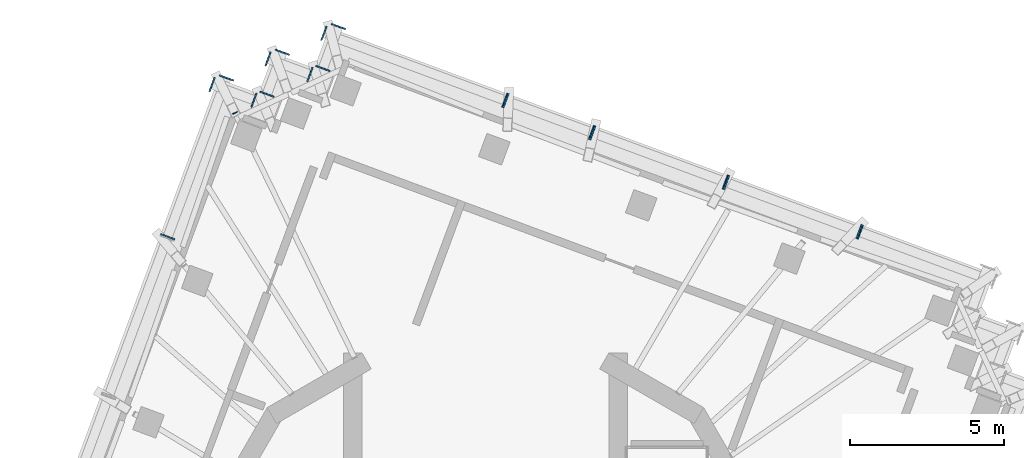
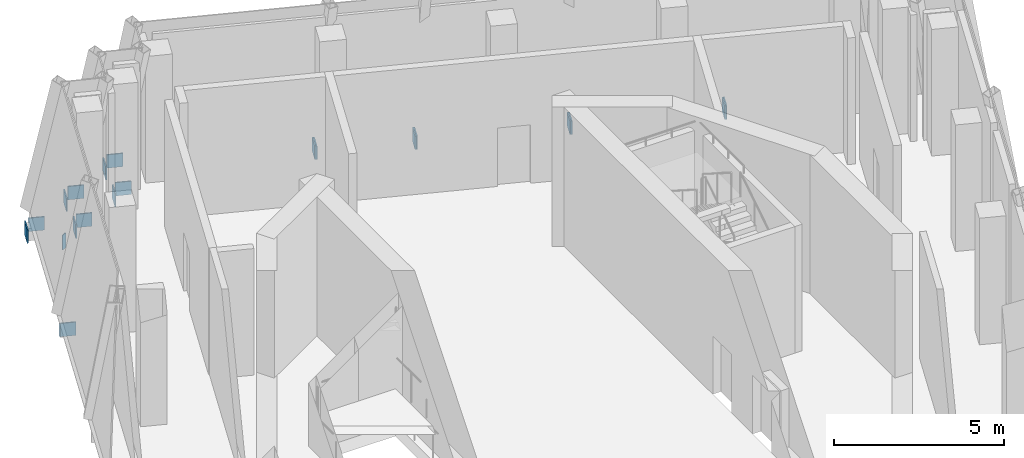
# One storey, part 11 of 13: 20 discrete accessories, 11 elements without a shape of their own.
"""IFC4 building model written with IfcOpenShell, lengths in metres."""

from ifc_helpers import new_model, si_unit, direction, frame, origin, place, context, subcontext, project, spatial, polyline, outline, extrude, material, layer, layer_set, type_object, element, aggregate, save


model = new_model("IFC4")

# Units and contexts
model_context = context("Model", 3, precision=1e-05, world=origin(), true_north=direction((0.0, 1.0)))
body_context = subcontext(model_context, "Body", "Model", "MODEL_VIEW")
ifc_project = project(units=[si_unit("LENGTHUNIT", "METRE"), si_unit("AREAUNIT", "SQUARE_METRE"), si_unit("VOLUMEUNIT", "CUBIC_METRE"), si_unit("PLANEANGLEUNIT", "RADIAN"), si_unit("MASSUNIT", "GRAM", prefix="KILO")], contexts=[model_context])

# Site, building, storey
site_placement = place(None, origin())
site = spatial("IfcSite", under=ifc_project, at=site_placement, CompositionType="ELEMENT")
building_placement = place(site_placement, origin())
building = spatial("IfcBuilding", under=site, at=building_placement, Name="Cantera Rosa Tower", CompositionType="ELEMENT")
storey_placement = place(building_placement, frame((0.0, 0.0, 350.699951171875)))
storey = spatial("IfcBuildingStorey", under=building, at=storey_placement, Name="L79", CompositionType="ELEMENT", Elevation=350.699951171875)

# Curtain wall, discrete accessory
ifc_material_1 = material(Name="Aluminium frame with clear glass", Category="aluminium")
curtain_wall_type = type_object("IfcCurtainWallType", Name="CW4 CROWN GLAZING", PredefinedType="NOTDEFINED", material=ifc_material_1)
curtain_wall_1_placement = place(storey_placement, origin())
curtain_wall_1 = element("IfcCurtainWall", 1, at=curtain_wall_1_placement, inside=storey, type_object=curtain_wall_type, Name="CW4 L79-01", PredefinedType="NOTDEFINED")
ifc_material_2 = material(Name="Steel S355J2 (EN 10025-2)", Category="steel")
ifc_layer = layer(ifc_material_2, 0.030029296875)
ifc_layer_set = layer_set([ifc_layer], Name="NODE PLATE 30")
discrete_accessory_type = type_object("IfcDiscreteAccessoryType", Name="NODE PLATE 30", PredefinedType="ANCHORPLATE", material=ifc_layer_set)
discrete_accessory_1_placement = place(storey_placement, frame((12.007080078125, 12.5556640625, -0.43505859375), z_axis=(-0.937742626232, 0.347330918501, 0.0), x_axis=(0.347330918501, 0.937742626232, 0.0)))
discrete_accessory_1 = element("IfcDiscreteAccessory", 2, at=discrete_accessory_1_placement, type_object=discrete_accessory_type, Name="END PLATE TE1", PredefinedType="ANCHORPLATE", context=body_context, shape_type="SweptSolid", body=[
    extrude(outline(polyline([(0.0, 0.0), (0.4800840869406107, 0.0), (0.4800840869406107, 0.47998046875), (0.0, 0.47998046875), (0.0, 0.0)])), origin(), (0.0, 0.0, -1.0), 0.0400390625),
])
aggregate(curtain_wall_1, [discrete_accessory_1])

# Curtain wall, discrete accessories
curtain_wall_2_placement = place(storey_placement, origin())
curtain_wall_2 = element("IfcCurtainWall", 3, at=curtain_wall_2_placement, inside=storey, type_object=curtain_wall_type, Name="CW4 L79-02", PredefinedType="NOTDEFINED")
discrete_accessory_2_placement = place(storey_placement, frame((12.2490234375, 12.97802734375, -0.43505859375), z_axis=(0.937576914778, -0.347777987911, 0.0), x_axis=(-0.347777987911, -0.937576914778, 0.0)))
discrete_accessory_2 = element("IfcDiscreteAccessory", 4, at=discrete_accessory_2_placement, type_object=discrete_accessory_type, Name="END PLATE TE0", PredefinedType="ANCHORPLATE", context=body_context, shape_type="SweptSolid", body=[
    extrude(outline(polyline([(0.0, 0.0), (0.4801689391068604, 0.0), (0.4801689391068604, 0.47998046875), (0.0, 0.47998046875), (0.0, 0.0)])), origin(), (0.0, 0.0, -1.0), 0.0400390625),
])
discrete_accessory_3_placement = place(storey_placement, frame((7.671142578125, 14.162353515625, -0.43505859375), z_axis=(-0.937742626232, 0.347330918501, 0.0), x_axis=(0.347330918501, 0.937742626232, 0.0)))
discrete_accessory_3 = element("IfcDiscreteAccessory", 5, at=discrete_accessory_3_placement, type_object=discrete_accessory_type, Name="END PLATE TE1", PredefinedType="ANCHORPLATE", context=body_context, shape_type="SweptSolid", body=[
    extrude(outline(polyline([(0.0, 0.0), (0.4800840869406107, 0.0), (0.4800840869406107, 0.47998046875), (0.0, 0.47998046875), (0.0, 0.0)])), origin(), (0.0, 0.0, -1.0), 0.0400390625),
])
aggregate(curtain_wall_2, [discrete_accessory_2, discrete_accessory_3])

curtain_wall_3_placement = place(storey_placement, origin())
curtain_wall_3 = element("IfcCurtainWall", 6, at=curtain_wall_3_placement, inside=storey, type_object=curtain_wall_type, Name="CW4 L79-03", PredefinedType="NOTDEFINED")
discrete_accessory_4_placement = place(storey_placement, frame((7.9130859375, 14.584716796875, -0.43505859375), z_axis=(0.937742626232, -0.347330918501, 0.0), x_axis=(-0.347330918501, -0.937742626232, 0.0)))
discrete_accessory_4 = element("IfcDiscreteAccessory", 7, at=discrete_accessory_4_placement, type_object=discrete_accessory_type, Name="END PLATE TE0", PredefinedType="ANCHORPLATE", context=body_context, shape_type="SweptSolid", body=[
    extrude(outline(polyline([(0.0, 0.0), (0.4800840869406107, 0.0), (0.4800840869406107, 0.47998046875), (0.0, 0.47998046875), (0.0, 0.0)])), origin(), (0.0, 0.0, -1.0), 0.0400390625),
])
discrete_accessory_5_placement = place(storey_placement, frame((3.335205078125, 15.769287109375, -0.43505859375), z_axis=(-0.93751537431, 0.347943850259, 0.0), x_axis=(0.347943850259, 0.93751537431, 0.0)))
discrete_accessory_5 = element("IfcDiscreteAccessory", 8, at=discrete_accessory_5_placement, type_object=discrete_accessory_type, Name="END PLATE TE1", PredefinedType="ANCHORPLATE", context=body_context, shape_type="SweptSolid", body=[
    extrude(outline(polyline([(0.0, 0.0), (0.47994004600337425, 0.0), (0.47994004600337425, 0.47998046875), (0.0, 0.47998046875), (0.0, 0.0)])), origin(), (0.0, 0.0, -1.0), 0.0400390625),
])
aggregate(curtain_wall_3, [discrete_accessory_4, discrete_accessory_5])

curtain_wall_4_placement = place(storey_placement, origin())
curtain_wall_4 = element("IfcCurtainWall", 9, at=curtain_wall_4_placement, inside=storey, type_object=curtain_wall_type, Name="CW4 L79-04", PredefinedType="NOTDEFINED")
discrete_accessory_6_placement = place(storey_placement, frame((3.5771484375, 16.19140625, -0.43505859375), z_axis=(0.937681233018, -0.347496626235, 0.0), x_axis=(-0.347496626235, -0.937681233018, 0.0)))
discrete_accessory_6 = element("IfcDiscreteAccessory", 10, at=discrete_accessory_6_placement, type_object=discrete_accessory_type, Name="END PLATE TE0", PredefinedType="ANCHORPLATE", context=body_context, shape_type="SweptSolid", body=[
    extrude(outline(polyline([(0.0, 0.0), (0.4798551533622547, 0.0), (0.4798551533622547, 0.47998046875), (0.0, 0.47998046875), (0.0, 0.0)])), origin(), (0.0, 0.0, -1.0), 0.0400390625),
])
discrete_accessory_7_placement = place(storey_placement, frame((0.523681640625, 16.81103515625, -0.43505859375), z_axis=(-0.937742626232, 0.347330918501, 0.0), x_axis=(0.347330918501, 0.937742626232, 0.0)))
discrete_accessory_7 = element("IfcDiscreteAccessory", 11, at=discrete_accessory_7_placement, type_object=discrete_accessory_type, Name="END PLATE TE1", PredefinedType="ANCHORPLATE", context=body_context, shape_type="SweptSolid", body=[
    extrude(outline(polyline([(0.0, 0.0), (0.4800840869406107, 0.0), (0.4800840869406107, 0.47998046875), (0.0, 0.47998046875), (0.0, 0.0)])), origin(), (0.0, 0.0, -1.0), 0.0400390625),
])
aggregate(curtain_wall_4, [discrete_accessory_6, discrete_accessory_7])

curtain_wall_5_placement = place(storey_placement, origin())
curtain_wall_5 = element("IfcCurtainWall", 12, at=curtain_wall_5_placement, inside=storey, type_object=curtain_wall_type, Name="CW4 L79-05", PredefinedType="NOTDEFINED")
discrete_accessory_8_placement = place(storey_placement, frame((0.765625, 17.2333984375, -0.43505859375), z_axis=(0.937576914778, -0.347777987911, 0.0), x_axis=(-0.347777987911, -0.937576914778, 0.0)))
discrete_accessory_8 = element("IfcDiscreteAccessory", 13, at=discrete_accessory_8_placement, type_object=discrete_accessory_type, Name="END PLATE TE0", PredefinedType="ANCHORPLATE", context=body_context, shape_type="SweptSolid", body=[
    extrude(outline(polyline([(0.0, 0.0), (0.4801689391068604, 0.0), (0.4801689391068604, 0.47998046875), (0.0, 0.47998046875), (0.0, 0.0)])), origin(), (0.0, 0.0, -1.0), 0.0400390625),
])
discrete_accessory_9_placement = place(storey_placement, frame((-5.33642578125, 18.982666015625, -0.43505859375), z_axis=(-0.937742626232, 0.347330918501, 0.0), x_axis=(0.347330918501, 0.937742626232, 0.0)))
discrete_accessory_9 = element("IfcDiscreteAccessory", 14, at=discrete_accessory_9_placement, type_object=discrete_accessory_type, Name="END PLATE TE1", PredefinedType="ANCHORPLATE", context=body_context, shape_type="SweptSolid", body=[
    extrude(outline(polyline([(0.0, 0.0), (0.4800840869406107, 0.0), (0.4800840869406107, 0.47998046875), (0.0, 0.47998046875), (0.0, 0.0)])), origin(), (0.0, 0.0, -1.0), 0.0400390625),
])
aggregate(curtain_wall_5, [discrete_accessory_8, discrete_accessory_9])

curtain_wall_6_placement = place(storey_placement, origin())
curtain_wall_6 = element("IfcCurtainWall", 15, at=curtain_wall_6_placement, inside=storey, type_object=curtain_wall_type, Name="CW4 L79-06", PredefinedType="NOTDEFINED")
discrete_accessory_10_placement = place(storey_placement, frame((-4.98291015625, 19.52099609375, -0.43505859375), z_axis=(0.347330918501, 0.937742626232, 0.0), x_axis=(0.937742626232, -0.347330918501, 0.0)))
discrete_accessory_10 = element("IfcDiscreteAccessory", 16, at=discrete_accessory_10_placement, type_object=discrete_accessory_type, Name="END PLATE TE0", PredefinedType="ANCHORPLATE", context=body_context, shape_type="SweptSolid", body=[
    extrude(outline(polyline([(0.0, 0.0), (0.4800840869406107, 0.0), (0.4800840869406107, 0.47998046875), (0.0, 0.47998046875), (0.0, 0.0)])), origin(), (0.0, 0.0, -1.0), 0.0400390625),
])
discrete_accessory_11_placement = place(storey_placement, frame((-5.050537109375, 17.95703125, -0.43505859375), z_axis=(-0.347330918501, -0.937742626232, 0.0), x_axis=(-0.937742626232, 0.347330918501, 0.0)))
discrete_accessory_11 = element("IfcDiscreteAccessory", 17, at=discrete_accessory_11_placement, type_object=discrete_accessory_type, Name="END PLATE TE1", PredefinedType="ANCHORPLATE", context=body_context, shape_type="SweptSolid", body=[
    extrude(outline(polyline([(0.0, 0.0), (0.4800840869406107, 0.0), (0.4800840869406107, 0.47998046875), (0.0, 0.47998046875), (0.0, 0.0)])), origin(), (0.0, 0.0, -1.0), 0.0400390625),
])
aggregate(curtain_wall_6, [discrete_accessory_10, discrete_accessory_11])

curtain_wall_7_placement = place(storey_placement, origin())
curtain_wall_7 = element("IfcCurtainWall", 18, at=curtain_wall_7_placement, inside=storey, type_object=curtain_wall_type, Name="CW4 L79-07", PredefinedType="NOTDEFINED")
discrete_accessory_12_placement = place(storey_placement, frame((-5.585205078125, 18.083251953125, -0.43505859375), z_axis=(0.937681233018, -0.347496626235, 0.0), x_axis=(-0.347496626235, -0.937681233018, 0.0)))
discrete_accessory_12 = element("IfcDiscreteAccessory", 19, at=discrete_accessory_12_placement, type_object=discrete_accessory_type, Name="END PLATE TE0", PredefinedType="ANCHORPLATE", context=body_context, shape_type="SweptSolid", body=[
    extrude(outline(polyline([(0.0, 0.0), (0.4798551533622547, 0.0), (0.4798551533622547, 0.47998046875), (0.0, 0.47998046875), (0.0, 0.0)])), origin(), (0.0, 0.0, -1.0), 0.0400390625),
])
discrete_accessory_13_placement = place(storey_placement, frame((-7.14892578125, 18.15087890625, -0.43505859375), z_axis=(-0.937742626232, 0.347330918501, 0.0), x_axis=(0.347330918501, 0.937742626232, 0.0)))
discrete_accessory_13 = element("IfcDiscreteAccessory", 20, at=discrete_accessory_13_placement, type_object=discrete_accessory_type, Name="END PLATE TE1", PredefinedType="ANCHORPLATE", context=body_context, shape_type="SweptSolid", body=[
    extrude(outline(polyline([(0.0, 0.0), (0.4800840869406107, 0.0), (0.4800840869406107, 0.47998046875), (0.0, 0.47998046875), (0.0, 0.0)])), origin(), (0.0, 0.0, -1.0), 0.0400390625),
])
aggregate(curtain_wall_7, [discrete_accessory_12, discrete_accessory_13])

curtain_wall_8_placement = place(storey_placement, origin())
curtain_wall_8 = element("IfcCurtainWall", 21, at=curtain_wall_8_placement, inside=storey, type_object=curtain_wall_type, Name="CW4 L79-08", PredefinedType="NOTDEFINED")
discrete_accessory_14_placement = place(storey_placement, frame((-6.79541015625, 18.687744140625, -0.43505859375), z_axis=(0.347330918501, 0.937742626232, 0.0), x_axis=(0.937742626232, -0.347330918501, 0.0)))
discrete_accessory_14 = element("IfcDiscreteAccessory", 22, at=discrete_accessory_14_placement, type_object=discrete_accessory_type, Name="END PLATE TE0", PredefinedType="ANCHORPLATE", context=body_context, shape_type="SweptSolid", body=[
    extrude(outline(polyline([(0.0, 0.0), (0.4800840869406107, 0.0), (0.4800840869406107, 0.47998046875), (0.0, 0.47998046875), (0.0, 0.0)])), origin(), (0.0, 0.0, -1.0), 0.0400390625),
])
discrete_accessory_15_placement = place(storey_placement, frame((-6.863037109375, 17.1240234375, -0.43505859375), z_axis=(-0.347496626235, -0.937681233018, 0.0), x_axis=(-0.937681233018, 0.347496626235, 0.0)))
discrete_accessory_15 = element("IfcDiscreteAccessory", 23, at=discrete_accessory_15_placement, type_object=discrete_accessory_type, Name="END PLATE TE1", PredefinedType="ANCHORPLATE", context=body_context, shape_type="SweptSolid", body=[
    extrude(outline(polyline([(0.0, 0.0), (0.4798551533622547, 0.0), (0.4798551533622547, 0.47998046875), (0.0, 0.47998046875), (0.0, 0.0)])), origin(), (0.0, 0.0, -1.0), 0.0400390625),
])
aggregate(curtain_wall_8, [discrete_accessory_14, discrete_accessory_15])

curtain_wall_9_placement = place(storey_placement, origin())
curtain_wall_9 = element("IfcCurtainWall", 24, at=curtain_wall_9_placement, inside=storey, type_object=curtain_wall_type, Name="CW4 L79-09", PredefinedType="NOTDEFINED")
discrete_accessory_16_placement = place(storey_placement, frame((-7.39794921875, 17.25146484375, -0.43505859375), z_axis=(0.937742626232, -0.347330918501, 0.0), x_axis=(-0.347330918501, -0.937742626232, 0.0)))
discrete_accessory_16 = element("IfcDiscreteAccessory", 25, at=discrete_accessory_16_placement, type_object=discrete_accessory_type, Name="END PLATE TE0", PredefinedType="ANCHORPLATE", context=body_context, shape_type="SweptSolid", body=[
    extrude(outline(polyline([(0.0, 0.0), (0.4800840869406107, 0.0), (0.4800840869406107, 0.47998046875), (0.0, 0.47998046875), (0.0, 0.0)])), origin(), (0.0, 0.0, -1.0), 0.0400390625),
])
discrete_accessory_17_placement = place(storey_placement, frame((-8.961669921875, 17.319091796875, -0.43505859375), z_axis=(-0.937681233018, 0.347496626235, 0.0), x_axis=(0.347496626235, 0.937681233018, 0.0)))
discrete_accessory_17 = element("IfcDiscreteAccessory", 26, at=discrete_accessory_17_placement, type_object=discrete_accessory_type, Name="END PLATE TE1", PredefinedType="ANCHORPLATE", context=body_context, shape_type="SweptSolid", body=[
    extrude(outline(polyline([(0.0, 0.0), (0.4798551533622547, 0.0), (0.4798551533622547, 0.47998046875), (0.0, 0.47998046875), (0.0, 0.0)])), origin(), (0.0, 0.0, -1.0), 0.0400390625),
])
aggregate(curtain_wall_9, [discrete_accessory_16, discrete_accessory_17])

# Curtain wall, discrete accessory
curtain_wall_10_placement = place(storey_placement, origin())
curtain_wall_10 = element("IfcCurtainWall", 27, at=curtain_wall_10_placement, inside=storey, type_object=curtain_wall_type, Name="CW4 L79-10", PredefinedType="NOTDEFINED")
discrete_accessory_18_placement = place(storey_placement, frame((-8.607666015625, 17.854736328125, -0.43505859375), z_axis=(0.347330918501, 0.937742626232, 0.0), x_axis=(0.937742626232, -0.347330918501, 0.0)))
discrete_accessory_18 = element("IfcDiscreteAccessory", 28, at=discrete_accessory_18_placement, type_object=discrete_accessory_type, Name="END PLATE TE0", PredefinedType="ANCHORPLATE", context=body_context, shape_type="SweptSolid", body=[
    extrude(outline(polyline([(0.0, 0.0), (0.4800840869406107, 0.0), (0.4800840869406107, 0.47998046875), (0.0, 0.47998046875), (0.0, 0.0)])), origin(), (0.0, 0.0, -1.0), 0.0400390625),
])
aggregate(curtain_wall_10, [discrete_accessory_18])

curtain_wall_11_placement = place(storey_placement, origin())
curtain_wall_11 = element("IfcCurtainWall", 29, at=curtain_wall_11_placement, inside=storey, type_object=curtain_wall_type, Name="CW4 L79-11", PredefinedType="NOTDEFINED")
discrete_accessory_19_placement = place(storey_placement, frame((-10.513427734375, 12.712158203125, -0.43505859375), z_axis=(0.347330918501, 0.937742626232, 0.0), x_axis=(0.937742626232, -0.347330918501, 0.0)))
discrete_accessory_19 = element("IfcDiscreteAccessory", 30, at=discrete_accessory_19_placement, type_object=discrete_accessory_type, Name="END PLATE TE0", PredefinedType="ANCHORPLATE", context=body_context, shape_type="SweptSolid", body=[
    extrude(outline(polyline([(0.0, 0.0), (0.4800840869406107, 0.0), (0.4800840869406107, 0.47998046875), (0.0, 0.47998046875), (0.0, 0.0)])), origin(), (0.0, 0.0, -1.0), 0.0400390625),
])
aggregate(curtain_wall_11, [discrete_accessory_19])

# Discrete accessory
discrete_accessory_20_placement = place(storey_placement, frame((0.0, 0.0, -0.97802734375)))
element("IfcDiscreteAccessory", 31, at=discrete_accessory_20_placement, inside=storey, type_object=discrete_accessory_type, Name="END PLATE CG-Z6-03 L79 A", PredefinedType="ANCHORPLATE", context=body_context, shape_type="SweptSolid", body=[
    extrude(outline(polyline([(-8.185302734375, 16.569091796875), (-8.1982421875, 16.595947265625), (-8.04931640625, 16.6689453125), (-8.0361328125, 16.641845703125), (-8.185302734375, 16.569091796875)])), origin(), (0.0, 0.0, 1.0), 0.528076171875),
])

save(model, "model.ifc")
